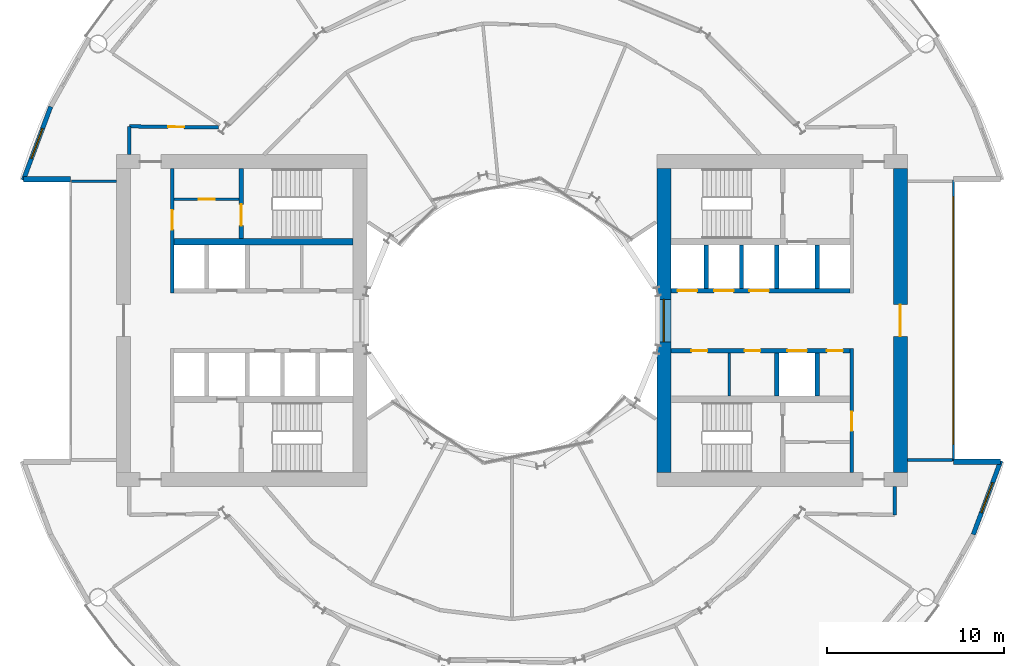
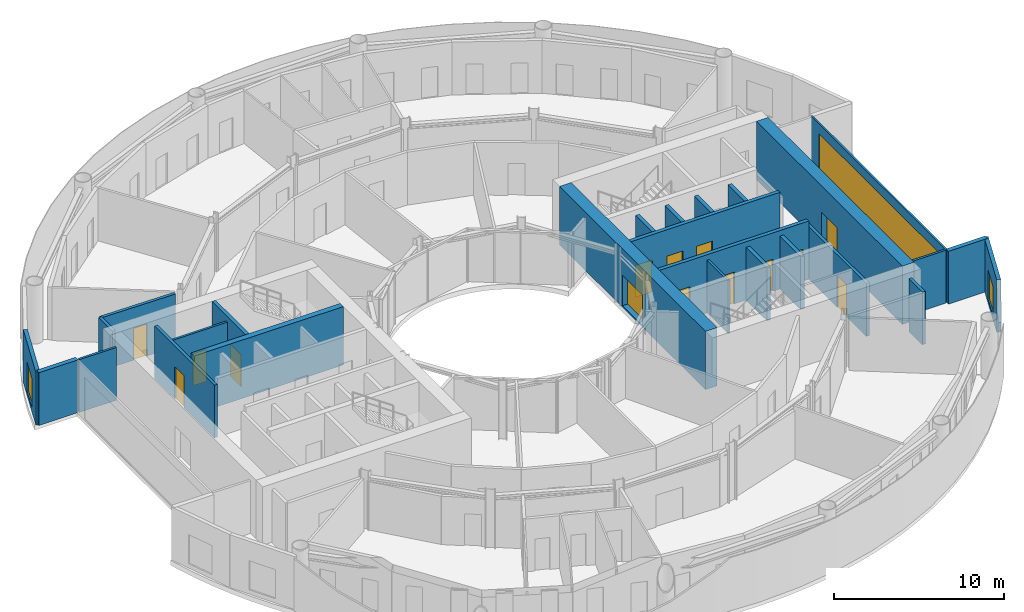
# One storey, part 13 of 19: 26 walls, 13 doors, 4 windows, 17 openings.
"""IFC4 building model written with IfcOpenShell, lengths in metres."""

import ifcopenshell
import ifcopenshell.guid

model = None  # the IFC model being written
_history = None  # IfcOwnerHistory: only IFC2X3 demands one
_inside = {}  # id of a spatial element -> (the spatial element, [elements in it])
_under = {}  # id of a project, library or spatial element -> (it, [spatial elements below it])
_declared = {}  # id of a project -> (the project, [libraries it declares])
_typed = {}  # id of a type object -> (the type object, [elements of that type])
_made_of = {}  # id of a material, layer set ... -> (it, [elements and type objects made of it])


def new_model(schema):
    """Start an empty IFC model of exactly this schema.

    Asked for "IFC4X3", IfcOpenShell would pick the latest addendum, in which some entities
    have other attributes; the version numbers below select the first issue.
    IFC2X3 requires an IfcOwnerHistory on every rooted entity: one is made here for all.
    """
    global model, _history
    if schema == "IFC4X3":
        model = ifcopenshell.file(schema_version=(4, 3, 0, 0))
    else:
        model = ifcopenshell.file(schema=schema)
    _inside.clear()
    _under.clear()
    _declared.clear()
    _typed.clear()
    _made_of.clear()
    _history = None
    if model.schema == "IFC2X3":
        org = make("IfcOrganization", Name="unknown")
        user = make(
            "IfcPersonAndOrganization",
            ThePerson=make("IfcPerson", FamilyName="unknown"),
            TheOrganization=org,
        )
        app = make(
            "IfcApplication",
            ApplicationDeveloper=org,
            Version="unknown",
            ApplicationFullName="unknown",
            ApplicationIdentifier="unknown",
        )
        _history = make(
            "IfcOwnerHistory",
            OwningUser=user,
            OwningApplication=app,
            ChangeAction="ADDED",
            CreationDate=0,
        )
    return model


def make(cls, **values):
    """One entity of the class cls with the attributes given. An attribute that is None is left unset."""
    return model.create_entity(
        cls, **{name: value for name, value in values.items() if value is not None}
    )


def rooted(cls, **values):
    """An entity with a GlobalId (a new one), such as an element, a storey or a relation."""
    return make(cls, GlobalId=ifcopenshell.guid.new(), OwnerHistory=_history, **values)


def si_unit(unit_type, name, prefix=None):
    """IfcSIUnit, for example si_unit("LENGTHUNIT", "METRE", prefix="MILLI")."""
    return make("IfcSIUnit", UnitType=unit_type, Prefix=prefix, Name=name)


def assignment(units):
    """IfcUnitAssignment: the units of a project."""
    return None if units is None else make("IfcUnitAssignment", Units=units)


def point(xyz):
    """IfcCartesianPoint."""
    return None if xyz is None else make("IfcCartesianPoint", Coordinates=xyz)


def direction(xyz):
    """IfcDirection."""
    return None if xyz is None else make("IfcDirection", DirectionRatios=xyz)


def frame(location, z_axis=None, x_axis=None):
    """IfcAxis2Placement3D, a coordinate frame: its origin and axes. An axis left out is left unset."""
    return make(
        "IfcAxis2Placement3D",
        Location=point(location),
        Axis=direction(z_axis),
        RefDirection=direction(x_axis),
    )


def frame_2d(location, x_axis=None):
    """IfcAxis2Placement2D, a coordinate frame in the plane: its origin and x axis."""
    return make(
        "IfcAxis2Placement2D", Location=point(location), RefDirection=direction(x_axis)
    )


def origin():
    """The frame at (0, 0, 0) with its axes left unset."""
    return frame((0.0, 0.0, 0.0))


def place(relative_to, where):
    """IfcLocalPlacement: puts the frame where relative to a parent placement (None: the world)."""
    return make(
        "IfcLocalPlacement", PlacementRelTo=relative_to, RelativePlacement=where
    )


def context(
    kind, dimensions, precision=None, world=None, true_north=None, identifier=None
):
    """IfcGeometricRepresentationContext, for example the 3D "Model" context."""
    return make(
        "IfcGeometricRepresentationContext",
        ContextIdentifier=identifier,
        ContextType=kind,
        CoordinateSpaceDimension=dimensions,
        Precision=precision,
        WorldCoordinateSystem=world,
        TrueNorth=true_north,
    )


def subcontext(parent, identifier, kind, view, scale=None):
    """IfcGeometricRepresentationSubContext, for example "Body" below "Model"."""
    return make(
        "IfcGeometricRepresentationSubContext",
        ContextIdentifier=identifier,
        ContextType=kind,
        ParentContext=parent,
        TargetScale=scale,
        TargetView=view,
    )


def project(units=None, contexts=None):
    """IfcProject with its units and contexts."""
    return rooted(
        "IfcProject",
        Name="project",
        RepresentationContexts=contexts,
        UnitsInContext=assignment(units),
    )


def spatial(cls, under=None, at=None, **own):
    """A site, building, storey or space (cls), placed at a placement, below another one or the project."""
    s = rooted(cls, ObjectPlacement=at, **own)
    if under is not None:
        _under.setdefault(under.id(), (under, []))[1].append(s)
    return s


def profile(cls, at=None, kind="AREA", **sizes):
    """A parametric profile (cls). Its sizes go by their IFC names, for example OverallWidth=200.0."""
    return make(cls, ProfileType=kind, Position=at, **sizes)


def rectangle(**sizes):
    """IfcRectangleProfileDef."""
    return profile("IfcRectangleProfileDef", **sizes)


def extrude(swept, where, along, depth):
    """IfcExtrudedAreaSolid: the profile swept, set in the frame where, extruded along a direction by depth."""
    return make(
        "IfcExtrudedAreaSolid",
        SweptArea=swept,
        Position=where,
        ExtrudedDirection=direction(along),
        Depth=depth,
    )


def shape(context_of_items, identifier, shape_type, items):
    """IfcShapeRepresentation: the items that make up one representation, for example the "Body"."""
    return make(
        "IfcShapeRepresentation",
        ContextOfItems=context_of_items,
        RepresentationIdentifier=identifier,
        RepresentationType=shape_type,
        Items=items,
    )


def material(Name=None, Category=None):
    """IfcMaterial."""
    return make("IfcMaterial", Name=Name, Category=Category)


def layer(
    of_material, thickness, ventilated=None, Name=None, Category=None, Priority=None
):
    """IfcMaterialLayer: one layer of a wall or slab, of a material (None: an air gap)."""
    return make(
        "IfcMaterialLayer",
        Material=of_material,
        LayerThickness=thickness,
        IsVentilated=ventilated,
        Name=Name,
        Category=Category,
        Priority=Priority,
    )


def layer_set(layers, Name=None):
    """IfcMaterialLayerSet."""
    return make("IfcMaterialLayerSet", MaterialLayers=layers, LayerSetName=Name)


def made_of(thing, what):
    """Note that an element or type object is made of a material, layer set ...; save() writes the relation."""
    if what is not None:
        _made_of.setdefault(what.id(), (what, []))[1].append(thing)
    return thing


def type_object(cls, material=None, **own):
    """A type object (cls), such as IfcWallType, which elements share."""
    return made_of(rooted(cls, **own), material)


def element(
    cls,
    number,
    at=None,
    inside=None,
    cuts=None,
    type_object=None,
    material=None,
    context=None,
    identifier="Body",
    shape_type=None,
    held_by="IfcProductDefinitionShape",
    body=None,
    shapes=None,
    **own,
):
    """One element of the class cls, such as IfcWall. Its Tag is "e" and its number.

    at: its placement. inside: the storey or other place that contains it. cuts: it is an
    opening in that element (IfcRelVoidsElement). A single representation is given by context,
    identifier, shape_type and body (its items); several are given by shapes. held_by: the class
    of the entity that holds the representations. save() writes the other relations.
    """
    e = rooted(cls, Tag="e%d" % number, ObjectPlacement=at, **own)
    if body is not None:
        shapes = [shape(context, identifier, shape_type, body)]
    if shapes is not None:
        e.Representation = make(held_by, Representations=shapes)
    if inside is not None:
        _inside.setdefault(inside.id(), (inside, []))[1].append(e)
    if cuts is not None:
        rooted(
            "IfcRelVoidsElement", RelatingBuildingElement=cuts, RelatedOpeningElement=e
        )
    if type_object is not None:
        _typed.setdefault(type_object.id(), (type_object, []))[1].append(e)
    return made_of(e, material)


def fill(opening, filler):
    """IfcRelFillsElement: the door or window that sits in an opening."""
    return rooted(
        "IfcRelFillsElement",
        RelatingOpeningElement=opening,
        RelatedBuildingElement=filler,
    )


def aggregate(whole, parts):
    """IfcRelAggregates: a whole, such as a stair, and the parts it consists of."""
    return rooted("IfcRelAggregates", RelatingObject=whole, RelatedObjects=parts)


def save(model, path):
    """Write the relations noted so far, then the file.

    IfcRelAggregates (storeys below a building ...), IfcRelContainedInSpatialStructure (elements
    in a storey), IfcRelDefinesByType, IfcRelAssociatesMaterial and IfcRelDeclares: one each for
    every whole, place, type object, material and project.
    """
    for whole, parts in _under.values():
        aggregate(whole, parts)
    for where, things in _inside.values():
        rooted(
            "IfcRelContainedInSpatialStructure",
            RelatedElements=things,
            RelatingStructure=where,
        )
    for kind, things in _typed.values():
        rooted("IfcRelDefinesByType", RelatedObjects=things, RelatingType=kind)
    for what, things in _made_of.values():
        rooted("IfcRelAssociatesMaterial", RelatedObjects=things, RelatingMaterial=what)
    for by, libraries in _declared.values():
        rooted("IfcRelDeclares", RelatingContext=by, RelatedDefinitions=libraries)
    model.write(path)


model = new_model("IFC4")

# Units and contexts
model_context = context("Model", 3, precision=1e-05, world=origin(), true_north=direction((0.0, 1.0)))
body_context = subcontext(model_context, "Body", "Model", "MODEL_VIEW")
ifc_project = project(units=[si_unit("LENGTHUNIT", "METRE"), si_unit("AREAUNIT", "SQUARE_METRE"), si_unit("VOLUMEUNIT", "CUBIC_METRE"), si_unit("PLANEANGLEUNIT", "RADIAN"), si_unit("MASSUNIT", "GRAM", prefix="KILO")], contexts=[model_context])

# Site, building, storey
site_placement = place(None, origin())
site = spatial("IfcSite", under=ifc_project, at=site_placement, CompositionType="ELEMENT")
building_placement = place(site_placement, origin())
building = spatial("IfcBuilding", under=site, at=building_placement, Name="Maasbend Ring Residences", CompositionType="ELEMENT")
storey_placement = place(building_placement, frame((0.0, 0.0, 53.300048828125)))
storey = spatial("IfcBuildingStorey", under=building, at=storey_placement, Name="L15", CompositionType="ELEMENT", Elevation=53.300048828125)

# Wall, openings, doors
ifc_material_1 = material(Name="Concrete C70/85", Category="concrete")
ifc_layer_1 = layer(ifc_material_1, 0.25)
ifc_layer_set_1 = layer_set([ifc_layer_1], Name="Concrete C70/85")
wall_type_1 = type_object("IfcWallType", Name="CORE WALL 250 C70/85", PredefinedType="SHEAR", material=ifc_layer_set_1)
wall_1_placement = place(storey_placement, frame((9.0, 1.699951171875, 0.0), z_axis=(0.0, 0.0, 1.0), x_axis=(1.0, 0.0, 0.0)))
wall_1 = element("IfcWall", 1, at=wall_1_placement, inside=storey, type_object=wall_type_1, Name="L15 core E wall SPN", PredefinedType="SHEAR", context=body_context, shape_type="SweptSolid", body=[
    extrude(rectangle(XDim=10.14990234375, YDim=0.25, at=frame_2d((5.074951171875, 0.0))), origin(), (0.0, 0.0, 1.0), 4.199951171875),
])
opening_1_placement = place(wall_1_placement, frame((0.387451171875, 0.0, 0.0)))
opening_1 = element("IfcOpeningElement", 2, at=opening_1_placement, cuts=wall_1, Name="Opening LD-E1501", PredefinedType="OPENING", context=body_context, shape_type="SweptSolid", body=[
    extrude(rectangle(XDim=1.10009765625, YDim=2.300048828125, at=frame_2d((0.550048828125, 1.14990234375))), frame((0.0, 0.135009765625, 0.0), z_axis=(0.0, -1.0, 0.0), x_axis=(1.0, 0.0, 0.0)), (0.0, 0.0, 1.0), 0.27001953125),
])
opening_2_placement = place(wall_1_placement, frame((2.449951171875, 0.0, 0.0)))
opening_2 = element("IfcOpeningElement", 3, at=opening_2_placement, cuts=wall_1, Name="Opening LD-E1502", PredefinedType="OPENING", context=body_context, shape_type="SweptSolid", body=[
    extrude(rectangle(XDim=1.10009765625, YDim=2.300048828125, at=frame_2d((0.550048828125, 1.14990234375))), frame((0.0, 0.135009765625, 0.0), z_axis=(0.0, -1.0, 0.0), x_axis=(1.0, 0.0, 0.0)), (0.0, 0.0, 1.0), 0.27001953125),
])
opening_3_placement = place(wall_1_placement, frame((4.449951171875, 0.0, 0.0)))
opening_3 = element("IfcOpeningElement", 4, at=opening_3_placement, cuts=wall_1, Name="Opening LD-E1503", PredefinedType="OPENING", context=body_context, shape_type="SweptSolid", body=[
    extrude(rectangle(XDim=1.10009765625, YDim=2.300048828125, at=frame_2d((0.550048828125, 1.14990234375))), frame((0.0, 0.135009765625, 0.0), z_axis=(0.0, -1.0, 0.0), x_axis=(1.0, 0.0, 0.0)), (0.0, 0.0, 1.0), 0.27001953125),
])
ifc_material_2 = material(Name="Stainless steel 316", Category="steel")
door_type_1 = type_object("IfcDoorType", Name="LANDING DOOR 1100 X 2300 FD60", OperationType="DOUBLE_DOOR_SLIDING", PredefinedType="DOOR", material=ifc_material_2)
door_1_placement = place(opening_1_placement, origin())
door_1 = element("IfcDoor", 5, at=door_1_placement, inside=storey, type_object=door_type_1, Name="Landing door LR-E1 L15", OperationType="DOUBLE_DOOR_SLIDING", OverallHeight=2.300048828125, OverallWidth=1.10009765625, PredefinedType="DOOR", context=body_context, shape_type="SweptSolid", body=[
    extrude(rectangle(XDim=1.10009765625, YDim=2.300048828125, at=frame_2d((0.550048828125, 1.14990234375))), frame((0.0, 0.02490234375, 0.0), z_axis=(0.0, -1.0, 0.0), x_axis=(1.0, 0.0, 0.0)), (0.0, 0.0, 1.0), 0.050048828125),
])
fill(opening_1, door_1)
door_2_placement = place(opening_2_placement, origin())
door_2 = element("IfcDoor", 6, at=door_2_placement, inside=storey, type_object=door_type_1, Name="Landing door LR-E2 L15", OperationType="DOUBLE_DOOR_SLIDING", OverallHeight=2.300048828125, OverallWidth=1.10009765625, PredefinedType="DOOR", context=body_context, shape_type="SweptSolid", body=[
    extrude(rectangle(XDim=1.10009765625, YDim=2.300048828125, at=frame_2d((0.550048828125, 1.14990234375))), frame((0.0, 0.02490234375, 0.0), z_axis=(0.0, -1.0, 0.0), x_axis=(1.0, 0.0, 0.0)), (0.0, 0.0, 1.0), 0.050048828125),
])
fill(opening_2, door_2)
door_3_placement = place(opening_3_placement, origin())
door_3 = element("IfcDoor", 7, at=door_3_placement, inside=storey, type_object=door_type_1, Name="Landing door LR-E3 L15", OperationType="DOUBLE_DOOR_SLIDING", OverallHeight=2.300048828125, OverallWidth=1.10009765625, PredefinedType="DOOR", context=body_context, shape_type="SweptSolid", body=[
    extrude(rectangle(XDim=1.10009765625, YDim=2.300048828125, at=frame_2d((0.550048828125, 1.14990234375))), frame((0.0, 0.02490234375, 0.0), z_axis=(0.0, -1.0, 0.0), x_axis=(1.0, 0.0, 0.0)), (0.0, 0.0, 1.0), 0.050048828125),
])
fill(opening_3, door_3)

wall_2_placement = place(storey_placement, frame((19.14990234375, -1.699951171875, 0.0), z_axis=(0.0, 0.0, 1.0), x_axis=(-1.0, 0.0, 0.0)))
wall_2 = element("IfcWall", 8, at=wall_2_placement, inside=storey, type_object=wall_type_1, Name="L15 core E wall SPS", PredefinedType="SHEAR", context=body_context, shape_type="SweptSolid", body=[
    extrude(rectangle(XDim=10.14990234375, YDim=0.25, at=frame_2d((5.074951171875, 0.0))), origin(), (0.0, 0.0, 1.0), 4.199951171875),
])
opening_4_placement = place(wall_2_placement, frame((2.449951171875, 0.0, 0.0)))
opening_4 = element("IfcOpeningElement", 9, at=opening_4_placement, cuts=wall_2, Name="Opening LD-E1505", PredefinedType="OPENING", context=body_context, shape_type="SweptSolid", body=[
    extrude(rectangle(XDim=1.10009765625, YDim=2.300048828125, at=frame_2d((0.550048828125, 1.14990234375))), frame((0.0, 0.135009765625, 0.0), z_axis=(0.0, -1.0, 0.0), x_axis=(1.0, 0.0, 0.0)), (0.0, 0.0, 1.0), 0.27001953125),
])
opening_5_placement = place(wall_2_placement, frame((8.08740234375, 0.0, 0.0)))
opening_5 = element("IfcOpeningElement", 10, at=opening_5_placement, cuts=wall_2, Name="Opening D-E1506", PredefinedType="OPENING", context=body_context, shape_type="SweptSolid", body=[
    extrude(rectangle(XDim=0.89990234375, YDim=2.300048828125, at=frame_2d((0.449951171875, 1.14990234375))), frame((0.0, 0.135009765625, 0.0), z_axis=(0.0, -1.0, 0.0), x_axis=(1.0, 0.0, 0.0)), (0.0, 0.0, 1.0), 0.27001953125),
])
opening_6_placement = place(wall_2_placement, frame((5.074951171875, 0.0, 0.0)))
opening_6 = element("IfcOpeningElement", 11, at=opening_6_placement, cuts=wall_2, Name="Opening D-E1507", PredefinedType="OPENING", context=body_context, shape_type="SweptSolid", body=[
    extrude(rectangle(XDim=0.89990234375, YDim=2.300048828125, at=frame_2d((0.449951171875, 1.14990234375))), frame((0.0, 0.135009765625, 0.0), z_axis=(0.0, -1.0, 0.0), x_axis=(1.0, 0.0, 0.0)), (0.0, 0.0, 1.0), 0.27001953125),
])
opening_7_placement = place(wall_2_placement, frame((0.41259765625, 0.0, 0.0)))
opening_7 = element("IfcOpeningElement", 12, at=opening_7_placement, cuts=wall_2, Name="Opening D-E1508", PredefinedType="OPENING", context=body_context, shape_type="SweptSolid", body=[
    extrude(rectangle(XDim=0.89990234375, YDim=2.300048828125, at=frame_2d((0.449951171875, 1.14990234375))), frame((0.0, 0.135009765625, 0.0), z_axis=(0.0, -1.0, 0.0), x_axis=(1.0, 0.0, 0.0)), (0.0, 0.0, 1.0), 0.27001953125),
])
door_4_placement = place(opening_4_placement, origin())
door_4 = element("IfcDoor", 13, at=door_4_placement, inside=storey, type_object=door_type_1, Name="Landing door SV-E L15", OperationType="DOUBLE_DOOR_SLIDING", OverallHeight=2.300048828125, OverallWidth=1.10009765625, PredefinedType="DOOR", context=body_context, shape_type="SweptSolid", body=[
    extrude(rectangle(XDim=1.10009765625, YDim=2.300048828125, at=frame_2d((0.550048828125, 1.14990234375))), frame((0.0, 0.02490234375, 0.0), z_axis=(0.0, -1.0, 0.0), x_axis=(1.0, 0.0, 0.0)), (0.0, 0.0, 1.0), 0.050048828125),
])
fill(opening_4, door_4)
ifc_material_3 = material(Name="Steel, powder coated", Category="steel")
door_type_2 = type_object("IfcDoorType", Name="ROOM DOOR 900 X 2300 FD30S", OperationType="NOTDEFINED", PredefinedType="DOOR", material=ifc_material_3)
door_5_placement = place(opening_5_placement, origin())
door_5 = element("IfcDoor", 14, at=door_5_placement, inside=storey, type_object=door_type_2, Name="Room door L15", OperationType="SINGLE_SWING_LEFT", OverallHeight=2.300048828125, OverallWidth=0.89990234375, PredefinedType="DOOR", context=body_context, shape_type="SweptSolid", body=[
    extrude(rectangle(XDim=0.89990234375, YDim=2.300048828125, at=frame_2d((0.449951171875, 1.14990234375))), frame((0.0, 0.02490234375, 0.0), z_axis=(0.0, -1.0, 0.0), x_axis=(1.0, 0.0, 0.0)), (0.0, 0.0, 1.0), 0.050048828125),
])
fill(opening_5, door_5)
door_6_placement = place(opening_6_placement, origin())
door_6 = element("IfcDoor", 15, at=door_6_placement, inside=storey, type_object=door_type_2, Name="Room door L15", OperationType="SINGLE_SWING_LEFT", OverallHeight=2.300048828125, OverallWidth=0.89990234375, PredefinedType="DOOR", context=body_context, shape_type="SweptSolid", body=[
    extrude(rectangle(XDim=0.89990234375, YDim=2.300048828125, at=frame_2d((0.449951171875, 1.14990234375))), frame((0.0, 0.02490234375, 0.0), z_axis=(0.0, -1.0, 0.0), x_axis=(1.0, 0.0, 0.0)), (0.0, 0.0, 1.0), 0.050048828125),
])
fill(opening_6, door_6)
door_7_placement = place(opening_7_placement, origin())
door_7 = element("IfcDoor", 16, at=door_7_placement, inside=storey, type_object=door_type_2, Name="Room door L15", OperationType="SINGLE_SWING_RIGHT", OverallHeight=2.300048828125, OverallWidth=0.89990234375, PredefinedType="DOOR", context=body_context, shape_type="SweptSolid", body=[
    extrude(rectangle(XDim=0.89990234375, YDim=2.300048828125, at=frame_2d((0.449951171875, 1.14990234375))), frame((0.0, 0.02490234375, 0.0), z_axis=(0.0, -1.0, 0.0), x_axis=(1.0, 0.0, 0.0)), (0.0, 0.0, 1.0), 0.050048828125),
])
fill(opening_7, door_7)

# Wall, opening, door
wall_3_placement = place(storey_placement, frame((-15.324951171875, 8.60009765625, 0.0), z_axis=(0.0, 0.0, 1.0), x_axis=(0.0, -1.0, 0.0)))
wall_3 = element("IfcWall", 17, at=wall_3_placement, inside=storey, type_object=wall_type_1, Name="L15 core W wall STES", PredefinedType="SHEAR", context=body_context, shape_type="SweptSolid", body=[
    extrude(rectangle(XDim=3.9501953125, YDim=0.25, at=frame_2d((1.97509765625, 0.0))), origin(), (0.0, 0.0, 1.0), 4.199951171875),
])
opening_8_placement = place(wall_3_placement, frame((2.02490234375, 0.0, 0.0)))
opening_8 = element("IfcOpeningElement", 18, at=opening_8_placement, cuts=wall_3, Name="Opening D-W1510", PredefinedType="OPENING", context=body_context, shape_type="SweptSolid", body=[
    extrude(rectangle(XDim=1.199951171875, YDim=2.300048828125, at=frame_2d((0.60009765625, 1.14990234375))), frame((0.0, 0.135009765625, 0.0), z_axis=(0.0, -1.0, 0.0), x_axis=(1.0, 0.0, 0.0)), (0.0, 0.0, 1.0), 0.27001953125),
])
ifc_material_4 = material(Name="Steel, powder coated", Category="steel")
door_type_3 = type_object("IfcDoorType", Name="STAIR DOOR 1200 X 2300 FD60", OperationType="NOTDEFINED", PredefinedType="DOOR", material=ifc_material_4)
door_8_placement = place(opening_8_placement, origin())
door_8 = element("IfcDoor", 19, at=door_8_placement, inside=storey, type_object=door_type_3, Name="Stair door ST-W L15", OperationType="SINGLE_SWING_LEFT", OverallHeight=2.300048828125, OverallWidth=1.199951171875, PredefinedType="DOOR", context=body_context, shape_type="SweptSolid", body=[
    extrude(rectangle(XDim=1.199951171875, YDim=2.300048828125, at=frame_2d((0.60009765625, 1.14990234375))), frame((0.0, 0.02490234375, 0.0), z_axis=(0.0, -1.0, 0.0), x_axis=(1.0, 0.0, 0.0)), (0.0, 0.0, 1.0), 0.050048828125),
])
fill(opening_8, door_8)

# Wall
ifc_material_5 = material(Name="Concrete C70/85", Category="concrete")
ifc_layer_2 = layer(ifc_material_5, 0.375)
ifc_layer_set_2 = layer_set([ifc_layer_2], Name="Concrete C70/85")
wall_type_2 = type_object("IfcWallType", Name="CORE WALL 375 C70/85", PredefinedType="SHEAR", material=ifc_layer_set_2)
wall_4_placement = place(storey_placement, frame((-9.0, 4.46240234375, 0.0), z_axis=(0.0, 0.0, 1.0), x_axis=(-1.0, 0.0, 0.0)))
element("IfcWall", 20, at=wall_4_placement, inside=storey, type_object=wall_type_2, Name="L15 core W wall BS", PredefinedType="SHEAR", context=body_context, shape_type="SweptSolid", body=[
    extrude(rectangle(XDim=10.14990234375, YDim=0.375, at=frame_2d((5.074951171875, 0.0))), origin(), (0.0, 0.0, 1.0), 4.199951171875),
])

# Wall, opening, door
ifc_material_6 = material(Name="Concrete C70/85", Category="concrete")
ifc_layer_3 = layer(ifc_material_6, 0.800048828125)
ifc_layer_set_3 = layer_set([ifc_layer_3], Name="Concrete C70/85")
wall_type_3 = type_object("IfcWallType", Name="CORE WALL 800 C70/85", PredefinedType="SHEAR", material=ifc_layer_set_3)
wall_5_placement = place(storey_placement, frame((22.0, 8.60009765625, 0.0), z_axis=(0.0, 0.0, 1.0), x_axis=(0.0, -1.0, 0.0)))
wall_5 = element("IfcWall", 21, at=wall_5_placement, inside=storey, type_object=wall_type_3, Name="L15 core E wall POUT", PredefinedType="SHEAR", context=body_context, shape_type="SweptSolid", body=[
    extrude(rectangle(XDim=17.2001953125, YDim=0.800048828125, at=frame_2d((8.60009765625, 0.0))), origin(), (0.0, 0.0, 1.0), 4.199951171875),
])
opening_9_placement = place(wall_5_placement, frame((7.699951171875, 0.0, 0.0)))
opening_9 = element("IfcOpeningElement", 22, at=opening_9_placement, cuts=wall_5, Name="Opening D-E1516", PredefinedType="OPENING", context=body_context, shape_type="SweptSolid", body=[
    extrude(rectangle(XDim=1.800048828125, YDim=2.300048828125, at=frame_2d((0.89990234375, 1.14990234375))), frame((0.0, 0.41015625, 0.0), z_axis=(0.0, -1.0, 0.0), x_axis=(1.0, 0.0, 0.0)), (0.0, 0.0, 1.0), 0.820068359375),
])
ifc_material_7 = material(Name="Aluminium frame, clear glass", Category="aluminium")
door_type_4 = type_object("IfcDoorType", Name="ENTRANCE DOOR 1800 X 2300 FD60", OperationType="NOTDEFINED", PredefinedType="DOOR", material=ifc_material_7)
door_9_placement = place(opening_9_placement, origin())
door_9 = element("IfcDoor", 23, at=door_9_placement, inside=storey, type_object=door_type_4, Name="Lobby glazed door L15", OperationType="SINGLE_SWING_LEFT", OverallHeight=2.300048828125, OverallWidth=1.800048828125, PredefinedType="DOOR", context=body_context, shape_type="SweptSolid", body=[
    extrude(rectangle(XDim=1.800048828125, YDim=2.300048828125, at=frame_2d((0.89990234375, 1.14990234375))), frame((0.0, 0.02490234375, 0.0), z_axis=(0.0, -1.0, 0.0), x_axis=(1.0, 0.0, 0.0)), (0.0, 0.0, 1.0), 0.050048828125),
])
fill(opening_9, door_9)

# Wall, opening, window
wall_6_placement = place(storey_placement, frame((8.60009765625, -8.60009765625, 0.0), z_axis=(0.0, 0.0, 1.0), x_axis=(0.0, 1.0, 0.0)))
wall_6 = element("IfcWall", 24, at=wall_6_placement, inside=storey, type_object=wall_type_3, Name="L15 core E wall PIN", PredefinedType="SHEAR", context=body_context, shape_type="SweptSolid", body=[
    extrude(rectangle(XDim=17.2001953125, YDim=0.800048828125, at=frame_2d((8.60009765625, 0.0))), origin(), (0.0, 0.0, 1.0), 4.199951171875),
])
opening_10_placement = place(wall_6_placement, frame((7.39990234375, 0.0, 0.10009765625)))
opening_10 = element("IfcOpeningElement", 25, at=opening_10_placement, cuts=wall_6, Name="Opening W-E1501", PredefinedType="OPENING", context=body_context, shape_type="SweptSolid", body=[
    extrude(rectangle(XDim=2.39990234375, YDim=2.199951171875, at=frame_2d((1.199951171875, 1.10009765625))), frame((0.0, 0.41015625, 0.0), z_axis=(0.0, -1.0, 0.0), x_axis=(1.0, 0.0, 0.0)), (0.0, 0.0, 1.0), 0.820068359375),
])
ifc_material_8 = material(Name="Aluminium frame and clear glass", Category="aluminium")
window_type_1 = type_object("IfcWindowType", Name="FIXED WINDOW 2400 X 2200", PartitioningType="SINGLE_PANEL", PredefinedType="WINDOW", material=ifc_material_8)
window_1_placement = place(opening_10_placement, origin())
window_1 = element("IfcWindow", 26, at=window_1_placement, inside=storey, type_object=window_type_1, Name="Lobby window L15", OverallHeight=2.199951171875, OverallWidth=2.39990234375, PartitioningType="SINGLE_PANEL", PredefinedType="WINDOW", context=body_context, shape_type="SweptSolid", body=[
    extrude(rectangle(XDim=2.39990234375, YDim=2.199951171875, at=frame_2d((1.199951171875, 1.10009765625))), frame((0.0, 0.030029296875, 0.0), z_axis=(0.0, -1.0, 0.0), x_axis=(1.0, 0.0, 0.0)), (0.0, 0.0, 1.0), 0.06005859375),
])
fill(opening_10, window_1)

# Wall
ifc_material_9 = material(Name="Concrete C30/37", Category="concrete")
ifc_layer_4 = layer(ifc_material_9, 0.199951171875)
ifc_layer_set_4 = layer_set([ifc_layer_4], Name="Concrete C30/37")
wall_type_4 = type_object("IfcWallType", Name="CORRIDOR WALL 200 CONCRETE", PredefinedType="PARTITIONING", material=ifc_layer_set_4)
wall_7_placement = place(storey_placement, frame((21.675048828125, -11.0, 0.0), z_axis=(0.0, 0.0, 1.0), x_axis=(0.0, 1.0, 0.0)))
element("IfcWall", 27, at=wall_7_placement, inside=storey, type_object=wall_type_4, Name="U-L15-w002", PredefinedType="PARTITIONING", context=body_context, shape_type="SweptSolid", body=[
    extrude(rectangle(XDim=1.60009765625, YDim=0.199951171875, at=frame_2d((0.800048828125, 0.0))), origin(), (0.0, 0.0, 1.0), 3.800048828125),
])

# Wall, opening, door
wall_8_placement = place(storey_placement, frame((-21.675048828125, 11.0, 0.0), z_axis=(0.0, 0.0, 1.0), x_axis=(0.99992425795, -0.012307654658, 0.0)))
wall_8 = element("IfcWall", 28, at=wall_8_placement, inside=storey, type_object=wall_type_4, Name="U-L15-w052", PredefinedType="PARTITIONING", context=body_context, shape_type="SweptSolid", body=[
    extrude(rectangle(XDim=5.03857421875, YDim=0.199951171875, at=frame_2d((2.519287109375, 0.0))), origin(), (0.0, 0.0, 1.0), 3.800048828125),
])
opening_11_placement = place(wall_8_placement, frame((2.205078125, 0.0, 0.0)))
opening_11 = element("IfcOpeningElement", 29, at=opening_11_placement, cuts=wall_8, Name="Opening D-1524", PredefinedType="OPENING", context=body_context, shape_type="SweptSolid", body=[
    extrude(rectangle(XDim=0.89990234375, YDim=2.300048828125, at=frame_2d((0.449951171875, 1.14990234375))), frame((0.0, 0.10986328125, 0.0), z_axis=(0.0, -1.0, 0.0), x_axis=(1.0, 0.0, 0.0)), (0.0, 0.0, 1.0), 0.219970703125),
])
ifc_material_10 = material(Name="Steel, fire-rated, painted", Category="steel")
door_type_5 = type_object("IfcDoorType", Name="SERVICE DOOR 900 X 2300 FIRE-RATED", OperationType="NOTDEFINED", PredefinedType="DOOR", material=ifc_material_10)
door_10_placement = place(opening_11_placement, origin())
door_10 = element("IfcDoor", 30, at=door_10_placement, inside=storey, type_object=door_type_5, Name="D-1524", OperationType="SINGLE_SWING_RIGHT", OverallHeight=2.300048828125, OverallWidth=0.89990234375, PredefinedType="DOOR", context=body_context, shape_type="SweptSolid", body=[
    extrude(rectangle(XDim=0.89990234375, YDim=2.300048828125, at=frame_2d((0.449951171875, 1.14990234375))), frame((0.0, 0.02490234375, 0.0), z_axis=(0.0, -1.0, 0.0), x_axis=(1.0, 0.0, 0.0)), (0.0, 0.0, 1.0), 0.050048828125),
])
fill(opening_11, door_10)

# Wall
wall_9_placement = place(storey_placement, frame((-21.675048828125, 9.39990234375, 0.0), z_axis=(0.0, 0.0, 1.0), x_axis=(0.0, 1.0, 0.0)))
element("IfcWall", 31, at=wall_9_placement, inside=storey, type_object=wall_type_4, Name="U-L15-w069", PredefinedType="PARTITIONING", context=body_context, shape_type="SweptSolid", body=[
    extrude(rectangle(XDim=1.60009765625, YDim=0.199951171875, at=frame_2d((0.800048828125, 0.0))), origin(), (0.0, 0.0, 1.0), 3.800048828125),
])

# Wall, opening, window
ifc_material_11 = material(Name="Aluminium clad insulated panel", Category="aluminium")
ifc_layer_5 = layer(ifc_material_11, 0.25)
ifc_layer_set_5 = layer_set([ifc_layer_5], Name="EW-HORN")
wall_type_5 = type_object("IfcWallType", Name="EW-HORN", PredefinedType="SOLIDWALL", material=ifc_layer_set_5)
wall_10_placement = place(storey_placement, frame((26.126953125, -12.116943359375, 0.0), z_axis=(0.0, 0.0, 1.0), x_axis=(0.349247811493, 0.937030397675, 0.0)))
wall_10 = element("IfcWall", 32, at=wall_10_placement, inside=storey, type_object=wall_type_5, Name="Horn wall 2.2", PredefinedType="SOLIDWALL", context=body_context, shape_type="SweptSolid", body=[
    extrude(rectangle(XDim=4.4521484375, YDim=0.25, at=frame_2d((2.22607421875, 0.0))), origin(), (0.0, 0.0, 1.0), 3.800048828125),
])
opening_12_placement = place(wall_10_placement, frame((1.32666015625, 0.0, 0.300048828125)))
opening_12 = element("IfcOpeningElement", 33, at=opening_12_placement, cuts=wall_10, Name="Opening W-BX", PredefinedType="OPENING", context=body_context, shape_type="SweptSolid", body=[
    extrude(rectangle(XDim=1.800048828125, YDim=2.10009765625, at=frame_2d((0.89990234375, 1.050048828125))), frame((0.0, 0.135009765625, 0.0), z_axis=(0.0, -1.0, 0.0), x_axis=(1.0, 0.0, 0.0)), (0.0, 0.0, 1.0), 0.27001953125),
])
ifc_material_12 = material(Name="Aluminium and clear glass", Category="aluminium")
window_type_2 = type_object("IfcWindowType", Name="W-BX", PartitioningType="DOUBLE_PANEL_VERTICAL", PredefinedType="WINDOW", material=ifc_material_12)
window_2_placement = place(opening_12_placement, origin())
window_2 = element("IfcWindow", 34, at=window_2_placement, inside=storey, type_object=window_type_2, Name="Horn window 2.2", OverallHeight=2.10009765625, OverallWidth=1.800048828125, PartitioningType="SINGLE_PANEL", PredefinedType="WINDOW", context=body_context, shape_type="SweptSolid", body=[
    extrude(rectangle(XDim=1.800048828125, YDim=2.10009765625, at=frame_2d((0.89990234375, 1.050048828125))), frame((0.0, 0.030029296875, 0.0), z_axis=(0.0, -1.0, 0.0), x_axis=(1.0, 0.0, 0.0)), (0.0, 0.0, 1.0), 0.06005859375),
])
fill(opening_12, window_2)

wall_11_placement = place(storey_placement, frame((-26.126953125, 12.116943359375, 0.0), z_axis=(0.0, 0.0, 1.0), x_axis=(-0.349247811493, -0.937030397675, 0.0)))
wall_11 = element("IfcWall", 35, at=wall_11_placement, inside=storey, type_object=wall_type_5, Name="Horn wall 4.2", PredefinedType="SOLIDWALL", context=body_context, shape_type="SweptSolid", body=[
    extrude(rectangle(XDim=4.4521484375, YDim=0.25, at=frame_2d((2.22607421875, 0.0))), origin(), (0.0, 0.0, 1.0), 3.800048828125),
])
opening_13_placement = place(wall_11_placement, frame((1.32666015625, 0.0, 0.300048828125)))
opening_13 = element("IfcOpeningElement", 36, at=opening_13_placement, cuts=wall_11, Name="Opening W-BX", PredefinedType="OPENING", context=body_context, shape_type="SweptSolid", body=[
    extrude(rectangle(XDim=1.800048828125, YDim=2.10009765625, at=frame_2d((0.89990234375, 1.050048828125))), frame((0.0, 0.135009765625, 0.0), z_axis=(0.0, -1.0, 0.0), x_axis=(1.0, 0.0, 0.0)), (0.0, 0.0, 1.0), 0.27001953125),
])
window_3_placement = place(opening_13_placement, origin())
window_3 = element("IfcWindow", 37, at=window_3_placement, inside=storey, type_object=window_type_2, Name="Horn window 4.2", OverallHeight=2.10009765625, OverallWidth=1.800048828125, PartitioningType="SINGLE_PANEL", PredefinedType="WINDOW", context=body_context, shape_type="SweptSolid", body=[
    extrude(rectangle(XDim=1.800048828125, YDim=2.10009765625, at=frame_2d((0.89990234375, 1.050048828125))), frame((0.0, 0.030029296875, 0.0), z_axis=(0.0, -1.0, 0.0), x_axis=(1.0, 0.0, 0.0)), (0.0, 0.0, 1.0), 0.06005859375),
])
fill(opening_13, window_3)

# Walls
ifc_material_13 = material(Name="Aluminium clad insulated panel", Category="aluminium")
ifc_layer_6 = layer(ifc_material_13, 0.300048828125)
ifc_layer_set_6 = layer_set([ifc_layer_6], Name="EW-RET")
wall_type_6 = type_object("IfcWallType", Name="EW-RET", PredefinedType="SOLIDWALL", material=ifc_layer_set_6)
for number, where, z_axis, x_axis, name in (
    (38, (25.0, -8.0, 0.0), (0.0, 0.0, 1.0), (1.0, 0.0, 0.0), "Notch return wall east south"),
    (39, (-25.0, 8.0, 0.0), (0.0, 0.0, 1.0), (-1.0, 0.0, 0.0), "Notch return wall west north"),
):
    element("IfcWall", number, at=place(storey_placement, frame(where, z_axis=z_axis, x_axis=x_axis)), inside=storey, type_object=wall_type_6, Name=name, PredefinedType="SOLIDWALL", context=body_context, shape_type="SweptSolid", body=[
        extrude(rectangle(XDim=2.6669921875, YDim=0.300048828125, at=frame_2d((1.33349609375, 0.0))), origin(), (0.0, 0.0, 1.0), 3.800048828125),
    ])

# Wall, opening, window
ifc_material_14 = material(Name="Aluminium frame and clear glass", Category="aluminium")
ifc_layer_7 = layer(ifc_material_14, 0.1201171875)
ifc_layer_set_7 = layer_set([ifc_layer_7], Name="GLAZED SCREEN WALL 120 EI 60")
wall_type_7 = type_object("IfcWallType", Name="GLAZED SCREEN WALL 120 EI 60", PredefinedType="PARTITIONING", material=ifc_layer_set_7)
wall_12_placement = place(storey_placement, frame((25.0, -7.949951171875, 0.0), z_axis=(0.0, 0.0, 1.0), x_axis=(0.0, 1.0, 0.0)))
wall_12 = element("IfcWall", 40, at=wall_12_placement, inside=storey, type_object=wall_type_7, Name="L15 core E wall FACE", PredefinedType="PARTITIONING", context=body_context, shape_type="SweptSolid", body=[
    extrude(rectangle(XDim=15.89990234375, YDim=0.1201171875, at=frame_2d((7.949951171875, 0.0))), origin(), (0.0, 0.0, 1.0), 3.800048828125),
])
opening_14_placement = place(wall_12_placement, frame((0.949951171875, 0.0, 0.10009765625)))
opening_14 = element("IfcOpeningElement", 41, at=opening_14_placement, cuts=wall_12, Name="Opening W-E1502", PredefinedType="OPENING", context=body_context, shape_type="SweptSolid", body=[
    extrude(rectangle(XDim=14.0, YDim=3.0, at=frame_2d((7.0, 1.5))), frame((0.0, 0.070068359375, 0.0), z_axis=(0.0, -1.0, 0.0), x_axis=(1.0, 0.0, 0.0)), (0.0, 0.0, 1.0), 0.14013671875),
])
ifc_material_15 = material(Name="Aluminium frame and clear glass", Category="aluminium")
window_type_3 = type_object("IfcWindowType", Name="FIXED WINDOW 14000 X 3000", PartitioningType="SINGLE_PANEL", PredefinedType="WINDOW", material=ifc_material_15)
window_4_placement = place(opening_14_placement, origin())
window_4 = element("IfcWindow", 42, at=window_4_placement, inside=storey, type_object=window_type_3, Name="Lobby window L15", OverallHeight=3.0, OverallWidth=14.0, PartitioningType="SINGLE_PANEL", PredefinedType="WINDOW", context=body_context, shape_type="SweptSolid", body=[
    extrude(rectangle(XDim=14.0, YDim=3.0, at=frame_2d((7.0, 1.5))), frame((0.0, 0.030029296875, 0.0), z_axis=(0.0, -1.0, 0.0), x_axis=(1.0, 0.0, 0.0)), (0.0, 0.0, 1.0), 0.06005859375),
])
fill(opening_14, window_4)

# Walls
ifc_material_16 = material(Name="Gypsum board on steel studs", Category="steel")
ifc_layer_8 = layer(ifc_material_16, 0.14990234375)
ifc_layer_set_8 = layer_set([ifc_layer_8], Name="PARTITION 150 EI 60")
wall_type_8 = type_object("IfcWallType", Name="PARTITION 150 EI 60", PredefinedType="PARTITIONING", material=ifc_layer_set_8)
wall_13_placement = place(storey_placement, frame((12.300048828125, -1.824951171875, 0.0), z_axis=(0.0, 0.0, 1.0), x_axis=(0.0, -1.0, 0.0)))
element("IfcWall", 43, at=wall_13_placement, inside=storey, type_object=wall_type_8, Name="L15 core E wall PRS1230", PredefinedType="PARTITIONING", context=body_context, shape_type="SweptSolid", body=[
    extrude(rectangle(XDim=2.449951171875, YDim=0.14990234375, at=frame_2d((1.22509765625, 0.0))), origin(), (0.0, 0.0, 1.0), 3.800048828125),
])
wall_14_placement = place(storey_placement, frame((22.39990234375, -7.89990234375, 0.0), z_axis=(0.0, 0.0, 1.0), x_axis=(1.0, 0.0, 0.0)))
element("IfcWall", 44, at=wall_14_placement, inside=storey, type_object=wall_type_8, Name="L15 core E wall CITS", PredefinedType="PARTITIONING", context=body_context, shape_type="SweptSolid", body=[
    extrude(rectangle(XDim=2.5400390625, YDim=0.14990234375, at=frame_2d((1.27001953125, 0.0))), origin(), (0.0, 0.0, 1.0), 3.800048828125),
])

# Wall, opening, door
wall_15_placement = place(storey_placement, frame((-15.449951171875, 6.875, 0.0), z_axis=(0.0, 0.0, 1.0), x_axis=(-1.0, 0.0, 0.0)))
wall_15 = element("IfcWall", 45, at=wall_15_placement, inside=storey, type_object=wall_type_8, Name="L15 core W wall RHS", PredefinedType="PARTITIONING", context=body_context, shape_type="SweptSolid", body=[
    extrude(rectangle(XDim=3.699951171875, YDim=0.14990234375, at=frame_2d((1.85009765625, 0.0))), origin(), (0.0, 0.0, 1.0), 3.800048828125),
])
opening_15_placement = place(wall_15_placement, frame((1.39990234375, 0.0, 0.0)))
opening_15 = element("IfcOpeningElement", 46, at=opening_15_placement, cuts=wall_15, Name="Opening D-W1508", PredefinedType="OPENING", context=body_context, shape_type="SweptSolid", body=[
    extrude(rectangle(XDim=0.89990234375, YDim=2.300048828125, at=frame_2d((0.449951171875, 1.14990234375))), frame((0.0, 0.0849609375, 0.0), z_axis=(0.0, -1.0, 0.0), x_axis=(1.0, 0.0, 0.0)), (0.0, 0.0, 1.0), 0.169921875),
])
ifc_material_17 = material(Name="Steel, powder coated", Category="steel")
door_type_6 = type_object("IfcDoorType", Name="RISER DOOR 900 X 2300 FD60", OperationType="NOTDEFINED", PredefinedType="DOOR", material=ifc_material_17)
door_11_placement = place(opening_15_placement, origin())
door_11 = element("IfcDoor", 47, at=door_11_placement, inside=storey, type_object=door_type_6, Name="Riser door L15", OperationType="SINGLE_SWING_LEFT", OverallHeight=2.300048828125, OverallWidth=0.89990234375, PredefinedType="DOOR", context=body_context, shape_type="SweptSolid", body=[
    extrude(rectangle(XDim=0.89990234375, YDim=2.300048828125, at=frame_2d((0.449951171875, 1.14990234375))), frame((0.0, 0.02490234375, 0.0), z_axis=(0.0, -1.0, 0.0), x_axis=(1.0, 0.0, 0.0)), (0.0, 0.0, 1.0), 0.050048828125),
])
fill(opening_15, door_11)

# Wall
wall_16_placement = place(storey_placement, frame((-22.39990234375, 7.89990234375, 0.0), z_axis=(0.0, 0.0, 1.0), x_axis=(-1.0, 0.0, 0.0)))
element("IfcWall", 48, at=wall_16_placement, inside=storey, type_object=wall_type_8, Name="L15 core W wall CITS", PredefinedType="PARTITIONING", context=body_context, shape_type="SweptSolid", body=[
    extrude(rectangle(XDim=2.5400390625, YDim=0.14990234375, at=frame_2d((1.27001953125, 0.0))), origin(), (0.0, 0.0, 1.0), 3.800048828125),
])

# Wall, opening, door
ifc_material_18 = material(Name="Concrete C30/37", Category="concrete")
ifc_layer_9 = layer(ifc_material_18, 0.199951171875)
ifc_layer_set_9 = layer_set([ifc_layer_9], Name="Concrete C30/37")
wall_type_9 = type_object("IfcWallType", Name="SHAFT WALL 200 EI 120", PredefinedType="SOLIDWALL", material=ifc_layer_set_9)
wall_17_placement = place(storey_placement, frame((19.25, -8.60009765625, 0.0), z_axis=(0.0, 0.0, 1.0), x_axis=(0.0, 1.0, 0.0)))
wall_17 = element("IfcWall", 49, at=wall_17_placement, inside=storey, type_object=wall_type_9, Name="L15 core E wall ENDS", PredefinedType="SOLIDWALL", context=body_context, shape_type="SweptSolid", body=[
    extrude(rectangle(XDim=7.025146484375, YDim=0.199951171875, at=frame_2d((3.5126953125, 0.0))), origin(), (0.0, 0.0, 1.0), 3.800048828125),
])
opening_16_placement = place(wall_17_placement, frame((2.35009765625, 0.0, 0.0)))
opening_16 = element("IfcOpeningElement", 50, at=opening_16_placement, cuts=wall_17, Name="Opening D-E1513", PredefinedType="OPENING", context=body_context, shape_type="SweptSolid", body=[
    extrude(rectangle(XDim=1.10009765625, YDim=2.300048828125, at=frame_2d((0.550048828125, 1.14990234375))), frame((0.0, 0.10986328125, 0.0), z_axis=(0.0, -1.0, 0.0), x_axis=(1.0, 0.0, 0.0)), (0.0, 0.0, 1.0), 0.219970703125),
])
ifc_material_19 = material(Name="Steel, powder coated", Category="steel")
door_type_7 = type_object("IfcDoorType", Name="LOBBY DOOR 1100 X 2300 FD60", OperationType="NOTDEFINED", PredefinedType="DOOR", material=ifc_material_19)
door_12_placement = place(opening_16_placement, origin())
door_12 = element("IfcDoor", 51, at=door_12_placement, inside=storey, type_object=door_type_7, Name="Lobby door L15", OperationType="SINGLE_SWING_RIGHT", OverallHeight=2.300048828125, OverallWidth=1.10009765625, PredefinedType="DOOR", context=body_context, shape_type="SweptSolid", body=[
    extrude(rectangle(XDim=1.10009765625, YDim=2.300048828125, at=frame_2d((0.550048828125, 1.14990234375))), frame((0.0, 0.02490234375, 0.0), z_axis=(0.0, -1.0, 0.0), x_axis=(1.0, 0.0, 0.0)), (0.0, 0.0, 1.0), 0.050048828125),
])
fill(opening_16, door_12)

wall_18_placement = place(storey_placement, frame((-19.25, 8.60009765625, 0.0), z_axis=(0.0, 0.0, 1.0), x_axis=(0.0, -1.0, 0.0)))
wall_18 = element("IfcWall", 52, at=wall_18_placement, inside=storey, type_object=wall_type_9, Name="L15 core W wall ENDS", PredefinedType="SOLIDWALL", context=body_context, shape_type="SweptSolid", body=[
    extrude(rectangle(XDim=7.025146484375, YDim=0.199951171875, at=frame_2d((3.5126953125, 0.0))), origin(), (0.0, 0.0, 1.0), 3.800048828125),
])
opening_17_placement = place(wall_18_placement, frame((2.35009765625, 0.0, 0.0)))
opening_17 = element("IfcOpeningElement", 53, at=opening_17_placement, cuts=wall_18, Name="Opening D-W1512", PredefinedType="OPENING", context=body_context, shape_type="SweptSolid", body=[
    extrude(rectangle(XDim=1.10009765625, YDim=2.300048828125, at=frame_2d((0.550048828125, 1.14990234375))), frame((0.0, 0.10986328125, 0.0), z_axis=(0.0, -1.0, 0.0), x_axis=(1.0, 0.0, 0.0)), (0.0, 0.0, 1.0), 0.219970703125),
])
door_13_placement = place(opening_17_placement, origin())
door_13 = element("IfcDoor", 54, at=door_13_placement, inside=storey, type_object=door_type_7, Name="Lobby door L15", OperationType="SINGLE_SWING_RIGHT", OverallHeight=2.300048828125, OverallWidth=1.10009765625, PredefinedType="DOOR", context=body_context, shape_type="SweptSolid", body=[
    extrude(rectangle(XDim=1.10009765625, YDim=2.300048828125, at=frame_2d((0.550048828125, 1.14990234375))), frame((0.0, 0.02490234375, 0.0), z_axis=(0.0, -1.0, 0.0), x_axis=(1.0, 0.0, 0.0)), (0.0, 0.0, 1.0), 0.050048828125),
])
fill(opening_17, door_13)

# Walls
ifc_material_20 = material(Name="Concrete C30/37", Category="concrete")
ifc_layer_10 = layer(ifc_material_20, 0.25)
ifc_layer_set_10 = layer_set([ifc_layer_10], Name="Concrete C30/37")
wall_type_10 = type_object("IfcWallType", Name="SHAFT WALL 250 EI 120", PredefinedType="SOLIDWALL", material=ifc_layer_set_10)
for number, where, z_axis, x_axis, name in (
    (55, (15.0, 1.824951171875, 0.0), (0.0, 0.0, 1.0), (0.0, 1.0, 0.0), "L15 core E wall D150N"),
    (56, (17.300048828125, 1.824951171875, 0.0), (0.0, 0.0, 1.0), (0.0, 1.0, 0.0), "L15 core E wall D173N"),
    (57, (15.0, -1.824951171875, 0.0), (0.0, 0.0, 1.0), (0.0, -1.0, 0.0), "L15 core E wall D150S"),
    (58, (17.300048828125, -1.824951171875, 0.0), (0.0, 0.0, 1.0), (0.0, -1.0, 0.0), "L15 core E wall D173S"),
    (59, (11.0, 1.824951171875, 0.0), (0.0, 0.0, 1.0), (0.0, 1.0, 0.0), "L15 core E wall D110N"),
    (60, (13.0, 1.824951171875, 0.0), (0.0, 0.0, 1.0), (0.0, 1.0, 0.0), "L15 core E wall D130N"),
):
    element("IfcWall", number, at=place(storey_placement, frame(where, z_axis=z_axis, x_axis=x_axis)), inside=storey, type_object=wall_type_10, Name=name, PredefinedType="SOLIDWALL", context=body_context, shape_type="SweptSolid", body=[
        extrude(rectangle(XDim=2.449951171875, YDim=0.25, at=frame_2d((1.22509765625, 0.0))), origin(), (0.0, 0.0, 1.0), 3.800048828125),
    ])

save(model, "model.ifc")
